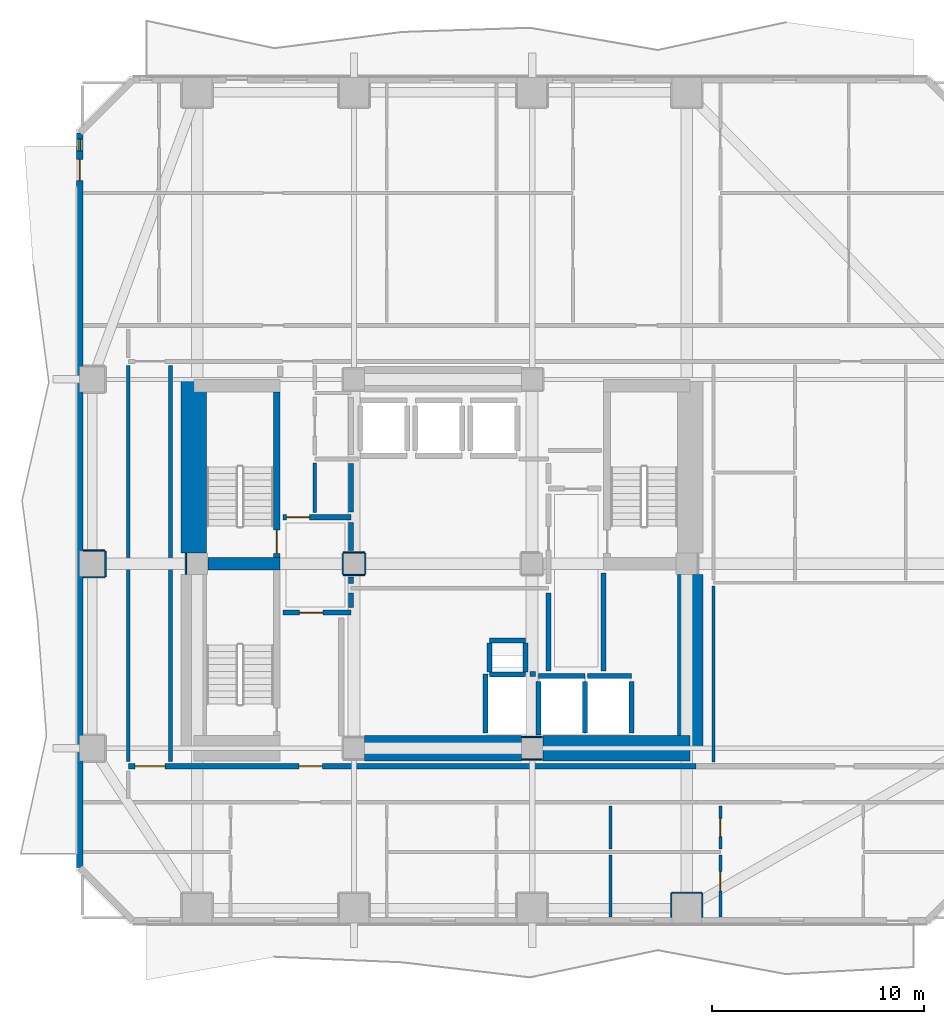
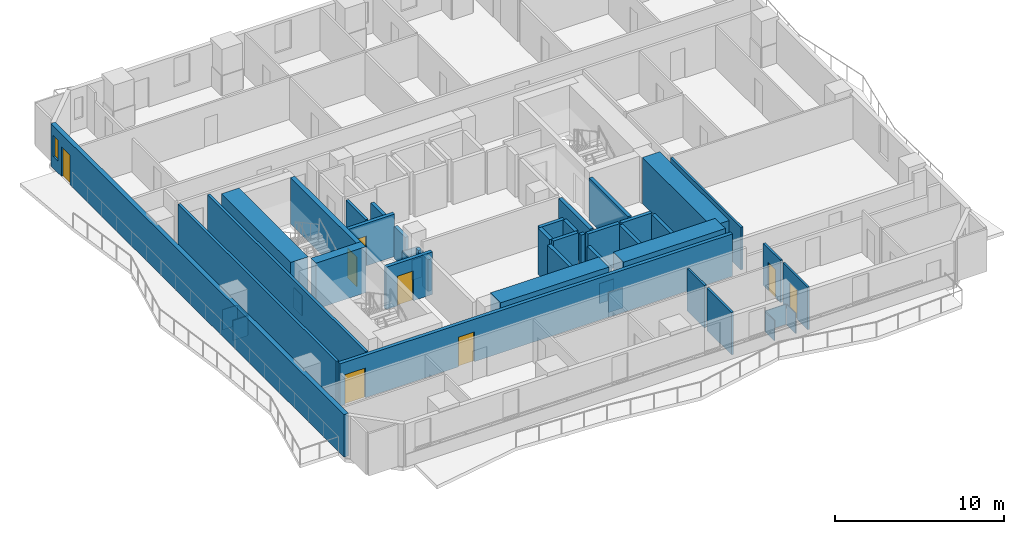
# One storey, part 3 of 11: 48 walls, 8 doors, 1 window, 9 openings.
"""IFC4 building model written with IfcOpenShell, lengths in metres."""

from ifc_helpers import new_model, si_unit, direction, frame, frame_2d, origin, place, context, subcontext, project, spatial, rectangle, extrude, material, layer, layer_set, type_object, element, fill, save


model = new_model("IFC4")

# Units and contexts
model_context = context("Model", 3, precision=1e-05, world=origin(), true_north=direction((0.0, 1.0)))
body_context = subcontext(model_context, "Body", "Model", "MODEL_VIEW")
ifc_project = project(units=[si_unit("LENGTHUNIT", "METRE"), si_unit("AREAUNIT", "SQUARE_METRE"), si_unit("VOLUMEUNIT", "CUBIC_METRE"), si_unit("PLANEANGLEUNIT", "RADIAN"), si_unit("MASSUNIT", "GRAM", prefix="KILO")], contexts=[model_context])

# Site, building, storey
site_placement = place(None, origin())
site = spatial("IfcSite", under=ifc_project, at=site_placement, CompositionType="ELEMENT")
building_placement = place(site_placement, origin())
building = spatial("IfcBuilding", under=site, at=building_placement, Name="Solanera Arch Residences", CompositionType="ELEMENT")
storey_placement = place(building_placement, frame((0.0, 0.0, 75.1201171875)))
storey = spatial("IfcBuildingStorey", under=building, at=storey_placement, Name="L21", CompositionType="ELEMENT", Elevation=75.1201171875)

# Walls
ifc_material_1 = material(Name="Fire-Rated Gypsum Stud Partition", Category="gypsum")
ifc_layer_1 = layer(ifc_material_1, 0.06005859375)
ifc_layer_set_1 = layer_set([ifc_layer_1], Name="Fire-Rated Gypsum Stud Partition")
wall_type_1 = type_object("IfcWallType", Name="Column Acoustic Furring Wall 60", PredefinedType="PARTITIONING", material=ifc_layer_set_1)
for number, where, z_axis, x_axis, name in (
    (1, (28.7099609375, 21.468017578125, 0.0), (0.0, 0.0, 1.0), (1.0, 0.0, 0.0), "L21 Column Furring 2S"),
    (2, (28.7099609375, 22.531982421875, 0.0), (0.0, 0.0, 1.0), (1.0, 0.0, 0.0), "L21 Column Furring 2N"),
    (3, (12.867919921875, 30.2099609375, 0.0), (0.0, 0.0, 1.0), (0.0, 1.0, 0.0), "L21 Column Furring 5W"),
):
    element("IfcWall", number, at=place(storey_placement, frame(where, z_axis=z_axis, x_axis=x_axis)), inside=storey, type_object=wall_type_1, Name=name, PredefinedType="PARTITIONING", context=body_context, shape_type="SweptSolid", body=[
        extrude(rectangle(XDim=0.97998046875, YDim=0.06005859375, at=frame_2d((0.489990234375, 0.0))), origin(), (0.0, 0.0, 1.0), 1.449951171875),
    ])
for number, where, z_axis, x_axis, name in (
    (4, (20.300048828125, 30.16796875, 0.0), (0.0, 0.0, 1.0), (1.0, 0.0, 0.0), "L21 Column Furring 7S"),
    (5, (20.300048828125, 31.23193359375, 0.0), (0.0, 0.0, 1.0), (1.0, 0.0, 0.0), "L21 Column Furring 7N"),
    (6, (20.26806640625, 30.199951171875, 0.0), (0.0, 0.0, 1.0), (0.0, 1.0, 0.0), "L21 Column Furring 7W"),
    (7, (21.33203125, 30.199951171875, 0.0), (0.0, 0.0, 1.0), (0.0, 1.0, 0.0), "L21 Column Furring 7E"),
):
    element("IfcWall", number, at=place(storey_placement, frame(where, z_axis=z_axis, x_axis=x_axis)), inside=storey, type_object=wall_type_1, Name=name, PredefinedType="PARTITIONING", context=body_context, shape_type="SweptSolid", body=[
        extrude(rectangle(XDim=1.0, YDim=0.06005859375, at=frame_2d((0.5, 0.0))), origin(), (0.0, 0.0, 1.0), 1.449951171875),
    ])
wall_1_placement = place(storey_placement, frame((35.800048828125, 15.181884765625, 0.0), z_axis=(0.0, 0.0, 1.0), x_axis=(1.0, 0.0, 0.0)))
element("IfcWall", 8, at=wall_1_placement, inside=storey, type_object=wall_type_1, Name="L21 Column Furring 15N", PredefinedType="PARTITIONING", context=body_context, shape_type="SweptSolid", body=[
    extrude(rectangle(XDim=1.39990234375, YDim=0.06005859375, at=frame_2d((0.699951171875, 0.0))), origin(), (0.0, 0.0, 1.0), 1.449951171875),
])
for number, where, z_axis, x_axis, name in (
    (9, (35.76806640625, 14.030029296875, 0.0), (0.0, 0.0, 1.0), (0.0, 1.0, 0.0), "L21 Column Furring 15W"),
    (10, (37.23193359375, 14.030029296875, 0.0), (0.0, 0.0, 1.0), (0.0, 1.0, 0.0), "L21 Column Furring 15E"),
):
    element("IfcWall", number, at=place(storey_placement, frame(where, z_axis=z_axis, x_axis=x_axis)), inside=storey, type_object=wall_type_1, Name=name, PredefinedType="PARTITIONING", context=body_context, shape_type="SweptSolid", body=[
        extrude(rectangle(XDim=1.119873046875, YDim=0.06005859375, at=frame_2d((0.56005859375, 0.0))), origin(), (0.0, 0.0, 1.0), 1.449951171875),
    ])
for number, where, z_axis, x_axis, name in (
    (11, (8.030029296875, 30.068115234375, 0.0), (0.0, 0.0, 1.0), (1.0, 0.0, 0.0), "L21 Column Furring 19S"),
    (12, (8.030029296875, 31.33203125, 0.0), (0.0, 0.0, 1.0), (1.0, 0.0, 0.0), "L21 Column Furring 19N"),
):
    element("IfcWall", number, at=place(storey_placement, frame(where, z_axis=z_axis, x_axis=x_axis)), inside=storey, type_object=wall_type_1, Name=name, PredefinedType="PARTITIONING", context=body_context, shape_type="SweptSolid", body=[
        extrude(rectangle(XDim=1.02001953125, YDim=0.06005859375, at=frame_2d((0.510009765625, 0.0))), origin(), (0.0, 0.0, 1.0), 1.449951171875),
    ])
wall_2_placement = place(storey_placement, frame((9.08203125, 30.10009765625, 0.0), z_axis=(0.0, 0.0, 1.0), x_axis=(0.0, 1.0, 0.0)))
element("IfcWall", 13, at=wall_2_placement, inside=storey, type_object=wall_type_1, Name="L21 Column Furring 19E", PredefinedType="PARTITIONING", context=body_context, shape_type="SweptSolid", body=[
    extrude(rectangle(XDim=1.199951171875, YDim=0.06005859375, at=frame_2d((0.60009765625, 0.0))), origin(), (0.0, 0.0, 1.0), 1.449951171875),
])
ifc_material_2 = material(Name="Concrete C55/67 (f'c = 60 MPa)", Category="concrete")
ifc_layer_2 = layer(ifc_material_2, 1.199951171875)
ifc_layer_set_2 = layer_set([ifc_layer_2], Name="Concrete C55/67 (f'c = 60 MPa)")
wall_type_2 = type_object("IfcWallType", Name="Core Shear Wall CW-1200", PredefinedType="SHEAR", material=ifc_layer_set_2)
wall_3_placement = place(storey_placement, frame((13.239990234375, 31.205078125, 0.0), z_axis=(0.0, 0.0, 1.0), x_axis=(0.0, 1.0, 0.0)))
element("IfcWall", 14, at=wall_3_placement, inside=storey, type_object=wall_type_2, Name="L21 West Core North Shear Wall", PredefinedType="SHEAR", context=body_context, shape_type="SweptSolid", body=[
    extrude(rectangle(XDim=8.19482421875, YDim=1.199951171875, at=frame_2d((4.097412109375, 0.0))), origin(), (0.0, 0.0, 1.0), 3.31982421875),
])
wall_4_placement = place(storey_placement, frame((36.659912109375, 22.0, 0.0), z_axis=(0.0, 0.0, 1.0), x_axis=(0.0, 1.0, 0.0)))
element("IfcWall", 15, at=wall_4_placement, inside=storey, type_object=wall_type_2, Name="L21 East Core South Shear Wall", PredefinedType="SHEAR", context=body_context, shape_type="SweptSolid", body=[
    extrude(rectangle(XDim=8.195068359375, YDim=1.199951171875, at=frame_2d((4.09765625, 0.0))), origin(), (0.0, 0.0, 1.0), 3.31982421875),
])
wall_5_placement = place(storey_placement, frame((29.705078125, 22.0, 0.0), z_axis=(0.0, 0.0, 1.0), x_axis=(1.0, 0.0, 0.0)))
element("IfcWall", 16, at=wall_5_placement, inside=storey, type_object=wall_type_2, Name="L21 South-East Core Shear Wall", PredefinedType="SHEAR", context=body_context, shape_type="SweptSolid", body=[
    extrude(rectangle(XDim=6.954833984375, YDim=1.199951171875, at=frame_2d((3.4775390625, 0.0))), origin(), (0.0, 0.0, 1.0), 3.31982421875),
])
wall_6_placement = place(storey_placement, frame((21.304931640625, 22.0, 0.0), z_axis=(0.0, 0.0, 1.0), x_axis=(1.0, 0.0, 0.0)))
element("IfcWall", 17, at=wall_6_placement, inside=storey, type_object=wall_type_2, Name="L21 Central South Core Shear Wall", PredefinedType="SHEAR", context=body_context, shape_type="SweptSolid", body=[
    extrude(rectangle(XDim=7.39013671875, YDim=1.199951171875, at=frame_2d((3.695068359375, 0.0))), origin(), (0.0, 0.0, 1.0), 3.31982421875),
])

# Wall, opening, door
ifc_material_3 = material(Name="Concrete C40/50 (f'c = 45 MPa)", Category="concrete")
ifc_layer_3 = layer(ifc_material_3, 0.320068359375)
ifc_layer_set_3 = layer_set([ifc_layer_3], Name="Concrete C40/50 (f'c = 45 MPa)")
wall_type_3 = type_object("IfcWallType", Name="Core Shear Wall CW-320", PredefinedType="SHEAR", material=ifc_layer_set_3)
wall_7_placement = place(storey_placement, frame((17.159912109375, 31.0, 0.0), z_axis=(0.0, 0.0, 1.0), x_axis=(0.0, 1.0, 0.0)))
wall_7 = element("IfcWall", 18, at=wall_7_placement, inside=storey, type_object=wall_type_3, Name="L21 Stair ST-T1 East Shear Wall", PredefinedType="SHEAR", context=body_context, shape_type="SweptSolid", body=[
    extrude(rectangle(XDim=7.800048828125, YDim=0.320068359375, at=frame_2d((3.89990234375, 0.0))), origin(), (0.0, 0.0, 1.0), 3.31982421875),
])
opening_1_placement = place(wall_7_placement, frame((0.18994140625, 0.0, 0.0)))
opening_1 = element("IfcOpeningElement", 19, at=opening_1_placement, cuts=wall_7, Name="Opening DF-01", PredefinedType="OPENING", context=body_context, shape_type="SweptSolid", body=[
    extrude(rectangle(XDim=1.10009765625, YDim=2.14990234375, at=frame_2d((0.550048828125, 1.074951171875))), frame((0.0, 0.169921875, 0.0), z_axis=(0.0, -1.0, 0.0), x_axis=(1.0, 0.0, 0.0)), (0.0, 0.0, 1.0), 0.3401),
])
ifc_material_4 = material(Name="Fire-Rated Architectural Hardwood", Category="wood")
door_type_1 = type_object("IfcDoorType", Name="Stair Exit Fire Door DF-01", OperationType="NOTDEFINED", PredefinedType="DOOR", material=ifc_material_4)
door_1_placement = place(opening_1_placement, origin())
door_1 = element("IfcDoor", 20, at=door_1_placement, inside=storey, type_object=door_type_1, Name="DR-L21-STAIR-ST-T1", OperationType="SINGLE_SWING_LEFT", OverallHeight=2.14990234375, OverallWidth=1.10009765625, PredefinedType="DOOR", context=body_context, shape_type="SweptSolid", body=[
    extrude(rectangle(XDim=1.10009765625, YDim=2.14990234375, at=frame_2d((0.550048828125, 1.074951171875))), frame((0.0, 0.02490234375, 0.0), z_axis=(0.0, -1.0, 0.0), x_axis=(1.0, 0.0, 0.0)), (0.0, 0.0, 1.0), 0.050048828125),
])
fill(opening_1, door_1)

# Walls
ifc_material_5 = material(Name="Concrete C40/50 (f'c = 45 MPa)", Category="concrete")
ifc_layer_4 = layer(ifc_material_5, 0.60009765625)
ifc_layer_set_4 = layer_set([ifc_layer_4], Name="Concrete C40/50 (f'c = 45 MPa)")
wall_type_4 = type_object("IfcWallType", Name="Core Shear Wall CW-600", PredefinedType="SHEAR", material=ifc_layer_set_4)
wall_8_placement = place(storey_placement, frame((13.905029296875, 30.699951171875, 0.0), z_axis=(0.0, 0.0, 1.0), x_axis=(1.0, 0.0, 0.0)))
element("IfcWall", 21, at=wall_8_placement, inside=storey, type_object=wall_type_4, Name="L21 West Stair Divider Shear Wall", PredefinedType="SHEAR", context=body_context, shape_type="SweptSolid", body=[
    extrude(rectangle(XDim=3.4150390625, YDim=0.60009765625, at=frame_2d((1.70751953125, 0.0))), origin(), (0.0, 0.0, 1.0), 3.31982421875),
])
ifc_material_6 = material(Name="Autoclaved Aerated Concrete Blockwork", Category="masonry")
ifc_layer_5 = layer(ifc_material_6, 0.179931640625)
ifc_layer_set_5 = layer_set([ifc_layer_5], Name="Autoclaved Aerated Concrete Blockwork")
wall_type_5 = type_object("IfcWallType", Name="Corridor Fire Partition 180", PredefinedType="PARTITIONING", material=ifc_layer_set_5)
for number, where, z_axis, x_axis, name in (
    (22, (10.14990234375, 21.367919921875, 0.0), (0.0, 0.0, 1.0), (0.0, 1.0, 0.0), "L21 Interior Partition V6 2"),
    (23, (12.14990234375, 21.367919921875, 0.0), (0.0, 0.0, 1.0), (0.0, 1.0, 0.0), "L21 Interior Partition V7"),
):
    element("IfcWall", number, at=place(storey_placement, frame(where, z_axis=z_axis, x_axis=x_axis)), inside=storey, type_object=wall_type_5, Name=name, PredefinedType="PARTITIONING", context=body_context, shape_type="SweptSolid", body=[
        extrude(rectangle(XDim=18.694091796875, YDim=0.179931640625, at=frame_2d((9.34716796875, 0.0))), origin(), (0.0, 0.0, 1.0), 3.059814453125),
    ])
wall_9_placement = place(storey_placement, frame((18.949951171875, 33.117919921875, 0.0), z_axis=(0.0, 0.0, 1.0), x_axis=(0.0, 1.0, 0.0)))
element("IfcWall", 24, at=wall_9_placement, inside=storey, type_object=wall_type_5, Name="L21 Interior Partition V8 1", PredefinedType="PARTITIONING", context=body_context, shape_type="SweptSolid", body=[
    extrude(rectangle(XDim=2.343994140625, YDim=0.179931640625, at=frame_2d((1.171875, 0.0))), origin(), (0.0, 0.0, 1.0), 3.059814453125),
])

# Wall, openings, door, window
ifc_material_7 = material(Name="Precast Concrete C35/45", Category="concrete")
ifc_layer_6 = layer(ifc_material_7, 0.300048828125)
ifc_layer_set_6 = layer_set([ifc_layer_6], Name="Precast Concrete C35/45")
wall_type_6 = type_object("IfcWallType", Name="Exterior Wall Precast Masonry-Frame 300", PredefinedType="STANDARD", material=ifc_layer_set_6)
wall_10_placement = place(storey_placement, frame((7.864990234375, 16.364990234375, 0.0), z_axis=(0.0, 0.0, 1.0), x_axis=(0.0, 1.0, 0.0)))
wall_10 = element("IfcWall", 25, at=wall_10_placement, inside=storey, type_object=wall_type_6, Name="L21 Tower Exterior Precast Masonry-Frame Wall W", PredefinedType="STANDARD", context=body_context, shape_type="SweptSolid", body=[
    extrude(rectangle(XDim=34.669921875, YDim=0.300048828125, at=frame_2d((17.3349609375, 0.0))), origin(), (0.0, 0.0, 1.0), 3.059814453125),
])
opening_2_placement = place(wall_10_placement, frame((32.4189453125, 0.0, 0.0)))
opening_2 = element("IfcOpeningElement", 26, at=opening_2_placement, cuts=wall_10, Name="Opening DB-01", PredefinedType="OPENING", context=body_context, shape_type="SweptSolid", body=[
    extrude(rectangle(XDim=1.0, YDim=2.14990234375, at=frame_2d((0.5, 1.074951171875))), frame((0.0, 0.159912109375, 0.0), z_axis=(0.0, -1.0, 0.0), x_axis=(1.0, 0.0, 0.0)), (0.0, 0.0, 1.0), 0.32),
])
opening_3_placement = place(wall_10_placement, frame((33.80908203125, 0.0, 0.85009765625)))
opening_3 = element("IfcOpeningElement", 27, at=opening_3_placement, cuts=wall_10, Name="Opening W-14", PredefinedType="OPENING", context=body_context, shape_type="SweptSolid", body=[
    extrude(rectangle(XDim=0.580078125, YDim=1.5, at=frame_2d((0.2900390625, 0.75))), frame((0.0, 0.159912109375, 0.0), z_axis=(0.0, -1.0, 0.0), x_axis=(1.0, 0.0, 0.0)), (0.0, 0.0, 1.0), 0.32),
])
ifc_material_8 = material(Name="Anodised Aluminium Alloy 6063-T6", Category="aluminium")
door_type_2 = type_object("IfcDoorType", Name="Glazed Balcony Swing Door DB-01", OperationType="NOTDEFINED", PredefinedType="DOOR", material=ifc_material_8)
door_2_placement = place(opening_2_placement, origin())
door_2 = element("IfcDoor", 28, at=door_2_placement, inside=storey, type_object=door_type_2, Name="DR-L21-OUT-04", OperationType="SINGLE_SWING_RIGHT", OverallHeight=2.14990234375, OverallWidth=1.0, PredefinedType="DOOR", context=body_context, shape_type="SweptSolid", body=[
    extrude(rectangle(XDim=1.0, YDim=2.14990234375, at=frame_2d((0.5, 1.074951171875))), frame((0.0, 0.02490234375, 0.0), z_axis=(0.0, -1.0, 0.0), x_axis=(1.0, 0.0, 0.0)), (0.0, 0.0, 1.0), 0.050048828125),
])
fill(opening_2, door_2)
ifc_material_9 = material(Name="Double Glazed Low-E Laminated Glass", Category="glass")
window_type = type_object("IfcWindowType", Name="Punched Window W-14", PartitioningType="SINGLE_PANEL", PredefinedType="WINDOW", material=ifc_material_9)
window_placement = place(opening_3_placement, origin())
window = element("IfcWindow", 29, at=window_placement, inside=storey, type_object=window_type, Name="L21 2103-BR1 Punched Window", OverallHeight=1.5, OverallWidth=0.580078125, PartitioningType="SINGLE_PANEL", PredefinedType="WINDOW", context=body_context, shape_type="SweptSolid", body=[
    extrude(rectangle(XDim=0.580078125, YDim=1.5, at=frame_2d((0.2900390625, 0.75))), frame((0.0, 0.030029296875, 0.0), z_axis=(0.0, -1.0, 0.0), x_axis=(1.0, 0.0, 0.0)), (0.0, 0.0, 1.0), 0.06005859375),
])
fill(opening_3, window)

# Walls
ifc_material_10 = material(Name="Concrete C40/50 (f'c = 45 MPa)", Category="concrete")
ifc_layer_7 = layer(ifc_material_10, 0.239990234375)
ifc_layer_set_7 = layer_set([ifc_layer_7], Name="Concrete C40/50 (f'c = 45 MPa)")
wall_type_7 = type_object("IfcWallType", Name="Ramp Bearing Shear Wall RW-240", PredefinedType="SHEAR", material=ifc_layer_set_7)
for number, where, z_axis, x_axis, name in (
    (30, (27.199951171875, 25.47998046875, 0.0), (0.0, 0.0, 1.0), (1.0, 0.0, 0.0), "L21 Core MEP Riser South Shaft Wall"),
    (31, (27.199951171875, 27.080078125, 0.0), (0.0, 0.0, 1.0), (1.0, 0.0, 0.0), "L21 Core MEP Riser North Shaft Wall"),
):
    element("IfcWall", number, at=place(storey_placement, frame(where, z_axis=z_axis, x_axis=x_axis)), inside=storey, type_object=wall_type_7, Name=name, PredefinedType="SHEAR", context=body_context, shape_type="SweptSolid", body=[
        extrude(rectangle(XDim=1.699951171875, YDim=0.239990234375, at=frame_2d((0.85009765625, 0.0))), origin(), (0.0, 0.0, 1.0), 3.31982421875),
    ])
for number, where, z_axis, x_axis, name in (
    (32, (27.199951171875, 25.60009765625, 0.0), (0.0, 0.0, 1.0), (0.0, 1.0, 0.0), "L21 Core MEP Riser West Shaft Wall"),
    (33, (28.89990234375, 25.60009765625, 0.0), (0.0, 0.0, 1.0), (0.0, 1.0, 0.0), "L21 Core MEP Riser East Shaft Wall"),
):
    element("IfcWall", number, at=place(storey_placement, frame(where, z_axis=z_axis, x_axis=x_axis)), inside=storey, type_object=wall_type_7, Name=name, PredefinedType="SHEAR", context=body_context, shape_type="SweptSolid", body=[
        extrude(rectangle(XDim=1.35986328125, YDim=0.239990234375, at=frame_2d((0.679931640625, 0.0))), origin(), (0.0, 0.0, 1.0), 3.31982421875),
    ])
ifc_material_11 = material(Name="Autoclaved Aerated Concrete Blockwork", Category="masonry")
ifc_layer_8 = layer(ifc_material_11, 0.239990234375)
ifc_layer_set_8 = layer_set([ifc_layer_8], Name="Autoclaved Aerated Concrete Blockwork")
wall_type_8 = type_object("IfcWallType", Name="Shaft Wall Fire-Rated 240", PredefinedType="PARTITIONING", material=ifc_layer_set_8)
wall_11_placement = place(storey_placement, frame((29.5, 25.39990234375, 0.0), z_axis=(0.0, 0.0, 1.0), x_axis=(1.0, 0.0, 0.0)))
element("IfcWall", 34, at=wall_11_placement, inside=storey, type_object=wall_type_8, Name="L21 Lift FFL-1 Hoistway Wall N", PredefinedType="PARTITIONING", context=body_context, shape_type="SweptSolid", body=[
    extrude(rectangle(XDim=2.199951171875, YDim=0.239990234375, at=frame_2d((1.10009765625, 0.0))), origin(), (0.0, 0.0, 1.0), 3.059814453125),
])
wall_12_placement = place(storey_placement, frame((29.5, 22.632080078125, 0.0), z_axis=(0.0, 0.0, 1.0), x_axis=(0.0, 1.0, 0.0)))
element("IfcWall", 35, at=wall_12_placement, inside=storey, type_object=wall_type_8, Name="L21 Lift FFL-1 Hoistway Wall W", PredefinedType="PARTITIONING", context=body_context, shape_type="SweptSolid", body=[
    extrude(rectangle(XDim=2.52001953125, YDim=0.239990234375, at=frame_2d((1.260009765625, 0.0))), origin(), (0.0, 0.0, 1.0), 2.294921875),
])
wall_13_placement = place(storey_placement, frame((31.699951171875, 22.72998046875, 0.0), z_axis=(0.0, 0.0, 1.0), x_axis=(0.0, 1.0, 0.0)))
element("IfcWall", 36, at=wall_13_placement, inside=storey, type_object=wall_type_8, Name="L21 Lift FFL-1 Hoistway Wall E", PredefinedType="PARTITIONING", context=body_context, shape_type="SweptSolid", body=[
    extrude(rectangle(XDim=2.422119140625, YDim=0.239990234375, at=frame_2d((1.2109375, 0.0))), origin(), (0.0, 0.0, 1.0), 3.059814453125),
])
wall_14_placement = place(storey_placement, frame((31.827880859375, 25.39990234375, 0.0), z_axis=(0.0, 0.0, 1.0), x_axis=(1.0, 0.0, 0.0)))
element("IfcWall", 37, at=wall_14_placement, inside=storey, type_object=wall_type_8, Name="L21 Lift FFL-2 Hoistway Wall N", PredefinedType="PARTITIONING", context=body_context, shape_type="SweptSolid", body=[
    extrude(rectangle(XDim=2.072021484375, YDim=0.239990234375, at=frame_2d((1.0361328125, 0.0))), origin(), (0.0, 0.0, 1.0), 3.059814453125),
])
wall_15_placement = place(storey_placement, frame((33.89990234375, 22.72998046875, 0.0), z_axis=(0.0, 0.0, 1.0), x_axis=(0.0, 1.0, 0.0)))
element("IfcWall", 38, at=wall_15_placement, inside=storey, type_object=wall_type_8, Name="L21 Lift FFL-2 Hoistway Wall E", PredefinedType="PARTITIONING", context=body_context, shape_type="SweptSolid", body=[
    extrude(rectangle(XDim=2.422119140625, YDim=0.239990234375, at=frame_2d((1.2109375, 0.0))), origin(), (0.0, 0.0, 1.0), 3.059814453125),
])
wall_16_placement = place(storey_placement, frame((29.10302734375, 25.5, 0.0), z_axis=(0.0, 0.0, 1.0), x_axis=(1.0, 0.0, 0.0)))
element("IfcWall", 39, at=wall_16_placement, inside=storey, type_object=wall_type_8, Name="L21 Lift SVL-1 Hoistway Wall N", PredefinedType="PARTITIONING", context=body_context, shape_type="SweptSolid", body=[
    extrude(rectangle(XDim=0.26904296875, YDim=0.239990234375, at=frame_2d((0.134521484375, 0.0))), origin(), (0.0, 0.0, 1.0), 3.059814453125),
])
wall_17_placement = place(storey_placement, frame((27.0, 22.72998046875, 0.0), z_axis=(0.0, 0.0, 1.0), x_axis=(0.0, 1.0, 0.0)))
element("IfcWall", 40, at=wall_17_placement, inside=storey, type_object=wall_type_8, Name="L21 Lift SVL-1 Hoistway Wall W", PredefinedType="PARTITIONING", context=body_context, shape_type="SweptSolid", body=[
    extrude(rectangle(XDim=2.76806640625, YDim=0.239990234375, at=frame_2d((1.384033203125, 0.0))), origin(), (0.0, 0.0, 1.0), 3.059814453125),
])

# Wall, openings, doors
wall_18_placement = place(storey_placement, frame((10.14990234375, 21.14990234375, 0.0), z_axis=(0.0, 0.0, 1.0), x_axis=(1.0, 0.0, 0.0)))
wall_18 = element("IfcWall", 41, at=wall_18_placement, inside=storey, type_object=wall_type_8, Name="L21 Interior Partition H1 1", PredefinedType="PARTITIONING", context=body_context, shape_type="SweptSolid", body=[
    extrude(rectangle(XDim=26.779052734375, YDim=0.239990234375, at=frame_2d((13.3896484375, 0.0))), origin(), (0.0, 0.0, 1.0), 3.059814453125),
])
opening_4_placement = place(wall_18_placement, frame((8.06005859375, 0.0, 0.0)))
opening_4 = element("IfcOpeningElement", 42, at=opening_4_placement, cuts=wall_18, Name="Opening DF-02", PredefinedType="OPENING", context=body_context, shape_type="SweptSolid", body=[
    extrude(rectangle(XDim=1.10009765625, YDim=2.14990234375, at=frame_2d((0.550048828125, 1.074951171875))), frame((0.0, 0.1298828125, 0.0), z_axis=(0.0, -1.0, 0.0), x_axis=(1.0, 0.0, 0.0)), (0.0, 0.0, 1.0), 0.26),
])
opening_5_placement = place(wall_18_placement, frame((0.323974609375, 0.0, 0.0)))
opening_5 = element("IfcOpeningElement", 43, at=opening_5_placement, cuts=wall_18, Name="Opening DF-03", PredefinedType="OPENING", context=body_context, shape_type="SweptSolid", body=[
    extrude(rectangle(XDim=1.39990234375, YDim=2.14990234375, at=frame_2d((0.699951171875, 1.074951171875))), frame((0.0, 0.1298828125, 0.0), z_axis=(0.0, -1.0, 0.0), x_axis=(1.0, 0.0, 0.0)), (0.0, 0.0, 1.0), 0.26),
])
ifc_material_12 = material(Name="Fire-Rated Architectural Hardwood", Category="wood")
door_type_3 = type_object("IfcDoorType", Name="Corridor Smoke Door DF-03", OperationType="NOTDEFINED", PredefinedType="DOOR", material=ifc_material_12)
door_3_placement = place(opening_5_placement, origin())
door_3 = element("IfcDoor", 44, at=door_3_placement, inside=storey, type_object=door_type_3, Name="DR-L21-IN-010", OperationType="SINGLE_SWING_RIGHT", OverallHeight=2.14990234375, OverallWidth=1.39990234375, PredefinedType="DOOR", context=body_context, shape_type="SweptSolid", body=[
    extrude(rectangle(XDim=1.39990234375, YDim=2.14990234375, at=frame_2d((0.699951171875, 1.074951171875))), frame((0.0, 0.02490234375, 0.0), z_axis=(0.0, -1.0, 0.0), x_axis=(1.0, 0.0, 0.0)), (0.0, 0.0, 1.0), 0.050048828125),
])
fill(opening_5, door_3)
ifc_material_13 = material(Name="Fire-Rated Architectural Hardwood", Category="wood")
door_type_4 = type_object("IfcDoorType", Name="Firefighting Lobby Fire Door DF-02", OperationType="NOTDEFINED", PredefinedType="DOOR", material=ifc_material_13)
door_4_placement = place(opening_4_placement, origin())
door_4 = element("IfcDoor", 45, at=door_4_placement, inside=storey, type_object=door_type_4, Name="DR-L21-IN-008", OperationType="SINGLE_SWING_RIGHT", OverallHeight=2.14990234375, OverallWidth=1.10009765625, PredefinedType="DOOR", context=body_context, shape_type="SweptSolid", body=[
    extrude(rectangle(XDim=1.10009765625, YDim=2.14990234375, at=frame_2d((0.550048828125, 1.074951171875))), frame((0.0, 0.02490234375, 0.0), z_axis=(0.0, -1.0, 0.0), x_axis=(1.0, 0.0, 0.0)), (0.0, 0.0, 1.0), 0.050048828125),
])
fill(opening_4, door_4)

# Wall, opening, door
wall_19_placement = place(storey_placement, frame((17.449951171875, 28.39990234375, 0.0), z_axis=(0.0, 0.0, 1.0), x_axis=(1.0, 0.0, 0.0)))
wall_19 = element("IfcWall", 46, at=wall_19_placement, inside=storey, type_object=wall_type_8, Name="L21 Interior Partition H3", PredefinedType="PARTITIONING", context=body_context, shape_type="SweptSolid", body=[
    extrude(rectangle(XDim=3.199951171875, YDim=0.239990234375, at=frame_2d((1.60009765625, 0.0))), origin(), (0.0, 0.0, 1.0), 3.059814453125),
])
opening_6_placement = place(wall_19_placement, frame((0.783935546875, 0.0, 0.0)))
opening_6 = element("IfcOpeningElement", 47, at=opening_6_placement, cuts=wall_19, Name="Opening DF-02", PredefinedType="OPENING", context=body_context, shape_type="SweptSolid", body=[
    extrude(rectangle(XDim=1.10009765625, YDim=2.14990234375, at=frame_2d((0.550048828125, 1.074951171875))), frame((0.0, 0.1298828125, 0.0), z_axis=(0.0, -1.0, 0.0), x_axis=(1.0, 0.0, 0.0)), (0.0, 0.0, 1.0), 0.26),
])
door_5_placement = place(opening_6_placement, origin())
door_5 = element("IfcDoor", 48, at=door_5_placement, inside=storey, type_object=door_type_4, Name="DR-L21-IN-004", OperationType="SINGLE_SWING_RIGHT", OverallHeight=2.14990234375, OverallWidth=1.10009765625, PredefinedType="DOOR", context=body_context, shape_type="SweptSolid", body=[
    extrude(rectangle(XDim=1.10009765625, YDim=2.14990234375, at=frame_2d((0.550048828125, 1.074951171875))), frame((0.0, 0.02490234375, 0.0), z_axis=(0.0, -1.0, 0.0), x_axis=(1.0, 0.0, 0.0)), (0.0, 0.0, 1.0), 0.050048828125),
])
fill(opening_6, door_5)

wall_20_placement = place(storey_placement, frame((17.449951171875, 32.89990234375, 0.0), z_axis=(0.0, 0.0, 1.0), x_axis=(1.0, 0.0, 0.0)))
wall_20 = element("IfcWall", 49, at=wall_20_placement, inside=storey, type_object=wall_type_8, Name="L21 Interior Partition H4", PredefinedType="PARTITIONING", context=body_context, shape_type="SweptSolid", body=[
    extrude(rectangle(XDim=3.199951171875, YDim=0.239990234375, at=frame_2d((1.60009765625, 0.0))), origin(), (0.0, 0.0, 1.0), 3.059814453125),
])
opening_7_placement = place(wall_20_placement, frame((0.158935546875, 0.0, 0.0)))
opening_7 = element("IfcOpeningElement", 50, at=opening_7_placement, cuts=wall_20, Name="Opening DF-02", PredefinedType="OPENING", context=body_context, shape_type="SweptSolid", body=[
    extrude(rectangle(XDim=1.10009765625, YDim=2.14990234375, at=frame_2d((0.550048828125, 1.074951171875))), frame((0.0, 0.1298828125, 0.0), z_axis=(0.0, -1.0, 0.0), x_axis=(1.0, 0.0, 0.0)), (0.0, 0.0, 1.0), 0.26),
])
door_6_placement = place(opening_7_placement, origin())
door_6 = element("IfcDoor", 51, at=door_6_placement, inside=storey, type_object=door_type_4, Name="DR-L21-IN-005", OperationType="SINGLE_SWING_LEFT", OverallHeight=2.14990234375, OverallWidth=1.10009765625, PredefinedType="DOOR", context=body_context, shape_type="SweptSolid", body=[
    extrude(rectangle(XDim=1.10009765625, YDim=2.14990234375, at=frame_2d((0.550048828125, 1.074951171875))), frame((0.0, 0.02490234375, 0.0), z_axis=(0.0, -1.0, 0.0), x_axis=(1.0, 0.0, 0.0)), (0.0, 0.0, 1.0), 0.050048828125),
])
fill(opening_7, door_6)

# Walls
wall_21_placement = place(storey_placement, frame((20.64990234375, 28.64794921875, 0.0), z_axis=(0.0, 0.0, 1.0), x_axis=(0.0, 1.0, 0.0)))
element("IfcWall", 52, at=wall_21_placement, inside=storey, type_object=wall_type_8, Name="L21 Interior Partition V3 1", PredefinedType="PARTITIONING", context=body_context, shape_type="SweptSolid", body=[
    extrude(rectangle(XDim=0.68408203125, YDim=0.239990234375, at=frame_2d((0.342041015625, 0.0))), origin(), (0.0, 0.0, 1.0), 2.294921875),
])
wall_22_placement = place(storey_placement, frame((20.64990234375, 29.76806640625, 0.0), z_axis=(0.0, 0.0, 1.0), x_axis=(0.0, 1.0, 0.0)))
element("IfcWall", 53, at=wall_22_placement, inside=storey, type_object=wall_type_8, Name="L21 Interior Partition V3 2", PredefinedType="PARTITIONING", context=body_context, shape_type="SweptSolid", body=[
    extrude(rectangle(XDim=0.300048828125, YDim=0.239990234375, at=frame_2d((0.14990234375, 0.0))), origin(), (0.0, 0.0, 1.0), 2.294921875),
])
wall_23_placement = place(storey_placement, frame((20.64990234375, 31.33203125, 0.0), z_axis=(0.0, 0.0, 1.0), x_axis=(0.0, 1.0, 0.0)))
element("IfcWall", 54, at=wall_23_placement, inside=storey, type_object=wall_type_8, Name="L21 Interior Partition V3 3", PredefinedType="PARTITIONING", context=body_context, shape_type="SweptSolid", body=[
    extrude(rectangle(XDim=1.320068359375, YDim=0.239990234375, at=frame_2d((0.66015625, 0.0))), origin(), (0.0, 0.0, 1.0), 2.294921875),
])
wall_24_placement = place(storey_placement, frame((20.64990234375, 33.14794921875, 0.0), z_axis=(0.0, 0.0, 1.0), x_axis=(0.0, 1.0, 0.0)))
element("IfcWall", 55, at=wall_24_placement, inside=storey, type_object=wall_type_8, Name="L21 Interior Partition V3 4", PredefinedType="PARTITIONING", context=body_context, shape_type="SweptSolid", body=[
    extrude(rectangle(XDim=2.283935546875, YDim=0.239990234375, at=frame_2d((1.14208984375, 0.0))), origin(), (0.0, 0.0, 1.0), 2.294921875),
])
wall_25_placement = place(storey_placement, frame((29.97509765625, 25.64794921875, 0.0), z_axis=(0.0, 0.0, 1.0), x_axis=(0.0, 1.0, 0.0)))
element("IfcWall", 56, at=wall_25_placement, inside=storey, type_object=wall_type_8, Name="L21 Interior Partition V4 1", PredefinedType="PARTITIONING", context=body_context, shape_type="SweptSolid", body=[
    extrude(rectangle(XDim=3.68408203125, YDim=0.239990234375, at=frame_2d((1.842041015625, 0.0))), origin(), (0.0, 0.0, 1.0), 3.059814453125),
])
wall_26_placement = place(storey_placement, frame((32.580078125, 25.64794921875, 0.0), z_axis=(0.0, 0.0, 1.0), x_axis=(0.0, 1.0, 0.0)))
element("IfcWall", 57, at=wall_26_placement, inside=storey, type_object=wall_type_8, Name="L21 Interior Partition V5", PredefinedType="PARTITIONING", context=body_context, shape_type="SweptSolid", body=[
    extrude(rectangle(XDim=4.6220703125, YDim=0.239990234375, at=frame_2d((2.31103515625, 0.0))), origin(), (0.0, 0.0, 1.0), 3.059814453125),
])
ifc_material_14 = material(Name="Autoclaved Aerated Concrete Blockwork", Category="masonry")
ifc_layer_9 = layer(ifc_material_14, 0.139892578125)
ifc_layer_set_9 = layer_set([ifc_layer_9], Name="Autoclaved Aerated Concrete Blockwork")
wall_type_9 = type_object("IfcWallType", Name="Wet-Room Partition 140", PredefinedType="PARTITIONING", material=ifc_layer_set_9)
wall_27_placement = place(storey_placement, frame((32.89208984375, 14.027099609375, 0.0), z_axis=(0.0, 0.0, 1.0), x_axis=(0.0, 1.0, 0.0)))
element("IfcWall", 58, at=wall_27_placement, inside=storey, type_object=wall_type_9, Name="L21 Interior Partition V17 1", PredefinedType="PARTITIONING", context=body_context, shape_type="SweptSolid", body=[
    extrude(rectangle(XDim=2.931884765625, YDim=0.139892578125, at=frame_2d((1.4658203125, 0.0))), origin(), (0.0, 0.0, 1.0), 3.059814453125),
])
wall_28_placement = place(storey_placement, frame((32.89208984375, 17.2548828125, 0.0), z_axis=(0.0, 0.0, 1.0), x_axis=(0.0, 1.0, 0.0)))
element("IfcWall", 59, at=wall_28_placement, inside=storey, type_object=wall_type_9, Name="L21 Interior Partition V17 2", PredefinedType="PARTITIONING", context=body_context, shape_type="SweptSolid", body=[
    extrude(rectangle(XDim=2.027099609375, YDim=0.139892578125, at=frame_2d((1.013671875, 0.0))), origin(), (0.0, 0.0, 1.0), 3.059814453125),
])
wall_29_placement = place(storey_placement, frame((37.75, 21.347900390625, 0.0), z_axis=(0.0, 0.0, 1.0), x_axis=(0.0, 1.0, 0.0)))
element("IfcWall", 60, at=wall_29_placement, inside=storey, type_object=wall_type_9, Name="L21 Interior Partition V18 1", PredefinedType="PARTITIONING", context=body_context, shape_type="SweptSolid", body=[
    extrude(rectangle(XDim=8.314208984375, YDim=0.139892578125, at=frame_2d((4.1572265625, 0.0))), origin(), (0.0, 0.0, 1.0), 3.059814453125),
])

# Wall, opening, door
wall_30_placement = place(storey_placement, frame((38.083984375, 14.027099609375, 0.0), z_axis=(0.0, 0.0, 1.0), x_axis=(0.0, 1.0, 0.0)))
wall_30 = element("IfcWall", 61, at=wall_30_placement, inside=storey, type_object=wall_type_9, Name="L21 Interior Partition V19 1", PredefinedType="PARTITIONING", context=body_context, shape_type="SweptSolid", body=[
    extrude(rectangle(XDim=2.931884765625, YDim=0.139892578125, at=frame_2d((1.4658203125, 0.0))), origin(), (0.0, 0.0, 1.0), 3.059814453125),
])
opening_8_placement = place(wall_30_placement, frame((1.2490234375, 0.0, 0.0)))
opening_8 = element("IfcOpeningElement", 62, at=opening_8_placement, cuts=wall_30, Name="Opening DI-03", PredefinedType="OPENING", context=body_context, shape_type="SweptSolid", body=[
    extrude(rectangle(XDim=0.89990234375, YDim=2.10009765625, at=frame_2d((0.449951171875, 1.050048828125))), frame((0.0, 0.079833984375, 0.0), z_axis=(0.0, -1.0, 0.0), x_axis=(1.0, 0.0, 0.0)), (0.0, 0.0, 1.0), 0.1599),
])
ifc_material_15 = material(Name="Fire-Rated Architectural Hardwood", Category="wood")
door_type_5 = type_object("IfcDoorType", Name="Bedroom Swing Door DI-03", OperationType="NOTDEFINED", PredefinedType="DOOR", material=ifc_material_15)
door_7_placement = place(opening_8_placement, origin())
door_7 = element("IfcDoor", 63, at=door_7_placement, inside=storey, type_object=door_type_5, Name="DR-L21-IN-022", OperationType="SINGLE_SWING_RIGHT", OverallHeight=2.10009765625, OverallWidth=0.89990234375, PredefinedType="DOOR", context=body_context, shape_type="SweptSolid", body=[
    extrude(rectangle(XDim=0.89990234375, YDim=2.10009765625, at=frame_2d((0.449951171875, 1.050048828125))), frame((0.0, 0.02490234375, 0.0), z_axis=(0.0, -1.0, 0.0), x_axis=(1.0, 0.0, 0.0)), (0.0, 0.0, 1.0), 0.050048828125),
])
fill(opening_8, door_7)

wall_31_placement = place(storey_placement, frame((38.083984375, 17.2548828125, 0.0), z_axis=(0.0, 0.0, 1.0), x_axis=(0.0, 1.0, 0.0)))
wall_31 = element("IfcWall", 64, at=wall_31_placement, inside=storey, type_object=wall_type_9, Name="L21 Interior Partition V19 2", PredefinedType="PARTITIONING", context=body_context, shape_type="SweptSolid", body=[
    extrude(rectangle(XDim=2.027099609375, YDim=0.139892578125, at=frame_2d((1.013671875, 0.0))), origin(), (0.0, 0.0, 1.0), 3.059814453125),
])
opening_9_placement = place(wall_31_placement, frame((0.5810546875, 0.0, 0.0)))
opening_9 = element("IfcOpeningElement", 65, at=opening_9_placement, cuts=wall_31, Name="Opening DI-05", PredefinedType="OPENING", context=body_context, shape_type="SweptSolid", body=[
    extrude(rectangle(XDim=0.860107421875, YDim=2.02001953125, at=frame_2d((0.43017578125, 1.010009765625))), frame((0.0, 0.079833984375, 0.0), z_axis=(0.0, -1.0, 0.0), x_axis=(1.0, 0.0, 0.0)), (0.0, 0.0, 1.0), 0.1599),
])
ifc_material_16 = material(Name="Fire-Rated Architectural Hardwood", Category="wood")
door_type_6 = type_object("IfcDoorType", Name="Bathroom Swing Door DI-05", OperationType="NOTDEFINED", PredefinedType="DOOR", material=ifc_material_16)
door_8_placement = place(opening_9_placement, origin())
door_8 = element("IfcDoor", 66, at=door_8_placement, inside=storey, type_object=door_type_6, Name="DR-L21-IN-021", OperationType="SINGLE_SWING_LEFT", OverallHeight=2.02001953125, OverallWidth=0.860107421875, PredefinedType="DOOR", context=body_context, shape_type="SweptSolid", body=[
    extrude(rectangle(XDim=0.860107421875, YDim=2.02001953125, at=frame_2d((0.43017578125, 1.010009765625))), frame((0.0, 0.02490234375, 0.0), z_axis=(0.0, -1.0, 0.0), x_axis=(1.0, 0.0, 0.0)), (0.0, 0.0, 1.0), 0.050048828125),
])
fill(opening_9, door_8)

save(model, "model.ifc")
